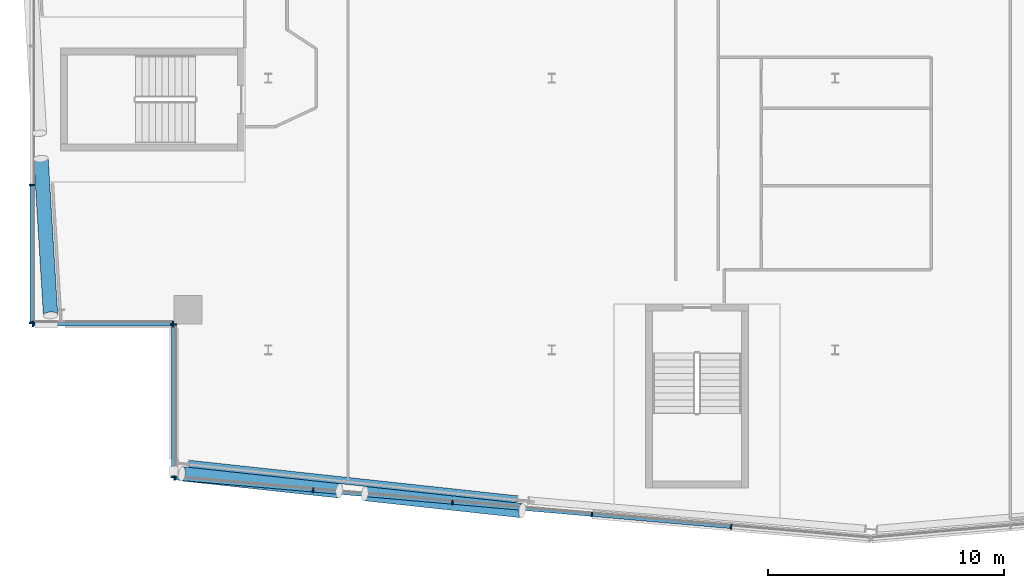
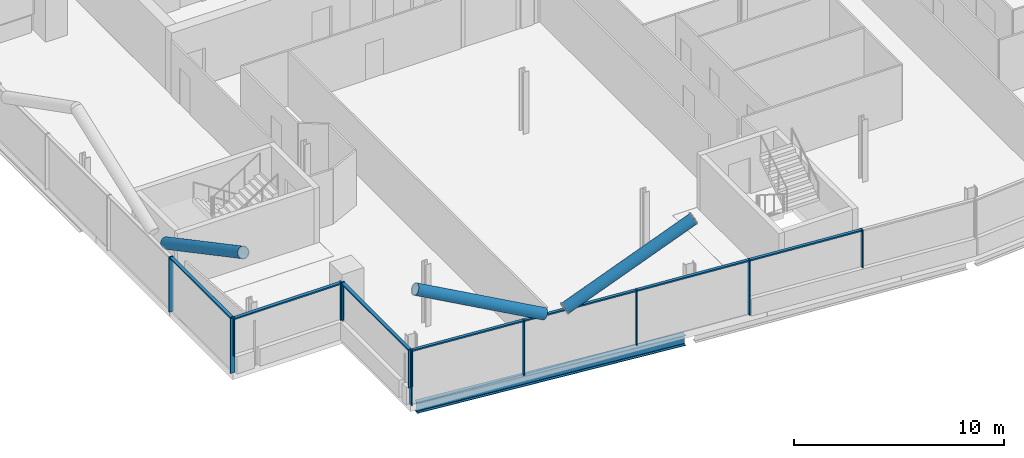
# One storey, part 5 of 26: 21 members, 1 beam, 4 elements without a shape of their own.
"""IFC4 building model written with IfcOpenShell, lengths in metres."""

from ifc_helpers import new_model, si_unit, direction, frame, origin, origin_2d, place, context, subcontext, project, spatial, rectangle, hollow_circle, i_section, extrude, material, material_profile, profile_set, type_object, element, aggregate, save


model = new_model("IFC4")

# Units and contexts
model_context = context("Model", 3, precision=1e-05, world=origin(), true_north=direction((0.0, 1.0)))
body_context = subcontext(model_context, "Body", "Model", "MODEL_VIEW")
ifc_project = project(units=[si_unit("LENGTHUNIT", "METRE"), si_unit("AREAUNIT", "SQUARE_METRE"), si_unit("VOLUMEUNIT", "CUBIC_METRE"), si_unit("PLANEANGLEUNIT", "RADIAN"), si_unit("MASSUNIT", "GRAM", prefix="KILO")], contexts=[model_context])

# Site, building, storey
site_placement = place(None, origin())
site = spatial("IfcSite", under=ifc_project, at=site_placement, CompositionType="ELEMENT")
building_placement = place(site_placement, origin())
building = spatial("IfcBuilding", under=site, at=building_placement, Name="Wharfspan Tower", CompositionType="ELEMENT")
storey_placement = place(building_placement, frame((0.0, 0.0, 235.899902)))
storey = spatial("IfcBuildingStorey", under=building, at=storey_placement, Name="L59", CompositionType="ELEMENT", Elevation=235.899902)

# Beam
ifc_material_1 = material(Name="Steel S355J2", Category="steel")
ifc_material_profile_1 = material_profile(ifc_material_1, i_section(OverallWidth=0.300049, OverallDepth=0.600098, WebThickness=0.015381, FlangeThickness=0.030029, FilletRadius=0.0271, at=origin_2d()))
ifc_profile_set_1 = profile_set([ifc_material_profile_1], Name="Steel S355J2")
beam_type = type_object("IfcBeamType", Name="Edge beam HEB 600", PredefinedType="SPANDREL", material=ifc_profile_set_1)
beam_placement = place(storey_placement, frame((20.648682, 6.674805, -0.699951), z_axis=(0.99418, -0.107732, 0.0), x_axis=(0.107732, 0.99418, 0.0)))
element("IfcBeam", 1, at=beam_placement, inside=storey, type_object=beam_type, Name="Edge beam S1 L59 PS1.1 to PS1.2", PredefinedType="SPANDREL", context=body_context, shape_type="SweptSolid", body=[
    extrude(i_section(OverallWidth=0.300049, OverallDepth=0.600098, WebThickness=0.015381, FlangeThickness=0.030029, FilletRadius=0.0271, at=origin_2d()), origin(), (0.0, 0.0, 1.0), 13.95752),
])

# Curtain wall, members
ifc_material_2 = material(Name="Aluminium 6063-T6", Category="aluminium")
curtain_wall_type_1 = type_object("IfcCurtainWallType", Name="CURTAIN WALL FACETED FRONT", PredefinedType="NOTDEFINED", material=ifc_material_2)
curtain_wall_1_placement = place(storey_placement, origin())
curtain_wall_1 = element("IfcCurtainWall", 2, at=curtain_wall_1_placement, inside=storey, type_object=curtain_wall_type_1, Name="Curtain wall S1", PredefinedType="NOTDEFINED")
ifc_material_profile_2 = material_profile(ifc_material_2, rectangle(XDim=0.199951, YDim=0.060059, at=origin_2d()))
ifc_profile_set_2 = profile_set([ifc_material_profile_2], Name="Aluminium 6063-T6")
member_type_1 = type_object("IfcMemberType", Name="MULLION FACETED FRONT 60x200", PredefinedType="MULLION", material=ifc_profile_set_2)
member_1_placement = place(storey_placement, frame((20.029785, 6.07251, 0.0), z_axis=(0.0, 0.0, 1.0), x_axis=(0.087156, 0.996197, 0.0)))
member_1 = element("IfcMember", 3, at=member_1_placement, type_object=member_type_1, Name="Curtain wall S1 mullion 1", PredefinedType="MULLION", context=body_context, shape_type="SweptSolid", body=[
    extrude(rectangle(XDim=0.199951, YDim=0.060059, at=origin_2d()), origin(), (0.0, 0.0, 1.0), 3.200195),
])
member_2_placement = place(storey_placement, frame((25.899902, 5.558838, 0.0), z_axis=(0.0, 0.0, 1.0), x_axis=(0.087156, 0.996197, 0.0)))
member_2 = element("IfcMember", 4, at=member_2_placement, type_object=member_type_1, Name="Curtain wall S1 mullion 2", PredefinedType="MULLION", context=body_context, shape_type="SweptSolid", body=[
    extrude(rectangle(XDim=0.199951, YDim=0.060059, at=origin_2d()), origin(), (0.0, 0.0, 1.0), 3.200195),
])
member_3_placement = place(storey_placement, frame((31.800049, 5.042725, 0.0), z_axis=(0.0, 0.0, 1.0), x_axis=(0.087156, 0.996197, 0.0)))
member_3 = element("IfcMember", 5, at=member_3_placement, type_object=member_type_1, Name="Curtain wall S1 mullion 3", PredefinedType="MULLION", context=body_context, shape_type="SweptSolid", body=[
    extrude(rectangle(XDim=0.199951, YDim=0.060059, at=origin_2d()), origin(), (0.0, 0.0, 1.0), 3.200195),
])
member_4_placement = place(storey_placement, frame((37.699951, 4.526611, 0.0), z_axis=(0.0, 0.0, 1.0), x_axis=(0.087156, 0.996197, 0.0)))
member_4 = element("IfcMember", 6, at=member_4_placement, type_object=member_type_1, Name="Curtain wall S1 mullion 4", PredefinedType="MULLION", context=body_context, shape_type="SweptSolid", body=[
    extrude(rectangle(XDim=0.199951, YDim=0.060059, at=origin_2d()), origin(), (0.0, 0.0, 1.0), 3.200195),
])
member_5_placement = place(storey_placement, frame((43.600098, 4.010254, 1.0), z_axis=(0.0, 0.0, 1.0), x_axis=(0.087156, 0.996197, 0.0)))
member_5 = element("IfcMember", 7, at=member_5_placement, type_object=member_type_1, Name="Curtain wall S1 mullion 5", PredefinedType="MULLION", context=body_context, shape_type="SweptSolid", body=[
    extrude(rectangle(XDim=0.199951, YDim=0.060059, at=origin_2d()), origin(), (0.0, 0.0, 1.0), 2.200195),
])

curtain_wall_type_2 = type_object("IfcCurtainWallType", Name="CURTAIN WALL PROW AND END", PredefinedType="NOTDEFINED", material=ifc_material_2)
curtain_wall_2_placement = place(storey_placement, origin())
curtain_wall_2 = element("IfcCurtainWall", 8, at=curtain_wall_2_placement, inside=storey, type_object=curtain_wall_type_2, Name="Curtain wall W", PredefinedType="NOTDEFINED")
ifc_material_profile_3 = material_profile(ifc_material_2, rectangle(XDim=0.23999, YDim=0.060059, at=origin_2d()))
ifc_profile_set_3 = profile_set([ifc_material_profile_3], Name="Aluminium 6063-T6")
member_type_2 = type_object("IfcMemberType", Name="MULLION PROW AND END 60x240", PredefinedType="MULLION", material=ifc_profile_set_3)
member_6_placement = place(storey_placement, frame((14.0, 18.47998, 0.0), z_axis=(0.0, 0.0, 1.0), x_axis=(1.0, 0.0, 0.0)))
member_6 = element("IfcMember", 9, at=member_6_placement, type_object=member_type_2, Name="Curtain wall W mullion 5", PredefinedType="MULLION", context=body_context, shape_type="SweptSolid", body=[
    extrude(rectangle(XDim=0.23999, YDim=0.060059, at=origin_2d()), origin(), (0.0, 0.0, 1.0), 3.200195),
])
member_7_placement = place(storey_placement, frame((14.0, 12.629883, 0.0), z_axis=(0.0, 0.0, 1.0), x_axis=(1.0, 0.0, 0.0)))
member_7 = element("IfcMember", 10, at=member_7_placement, type_object=member_type_2, Name="Curtain wall W mullion 6", PredefinedType="MULLION", context=body_context, shape_type="SweptSolid", body=[
    extrude(rectangle(XDim=0.23999, YDim=0.060059, at=origin_2d()), origin(), (0.0, 0.0, 1.0), 3.200195),
])

curtain_wall_3_placement = place(storey_placement, origin())
curtain_wall_3 = element("IfcCurtainWall", 11, at=curtain_wall_3_placement, inside=storey, type_object=curtain_wall_type_2, Name="Curtain wall NFW-H", PredefinedType="NOTDEFINED")
member_8_placement = place(storey_placement, frame((14.030029, 12.600098, 1.0), z_axis=(0.0, 0.0, 1.0), x_axis=(0.0, 1.0, 0.0)))
member_8 = element("IfcMember", 12, at=member_8_placement, type_object=member_type_2, Name="Curtain wall NFW-H mullion 1", PredefinedType="MULLION", context=body_context, shape_type="SweptSolid", body=[
    extrude(rectangle(XDim=0.23999, YDim=0.060059, at=origin_2d()), origin(), (0.0, 0.0, 1.0), 2.200195),
])
member_9_placement = place(storey_placement, frame((19.969971, 12.600098, 1.0), z_axis=(0.0, 0.0, 1.0), x_axis=(0.0, 1.0, 0.0)))
member_9 = element("IfcMember", 13, at=member_9_placement, type_object=member_type_2, Name="Curtain wall NFW-H mullion 2", PredefinedType="MULLION", context=body_context, shape_type="SweptSolid", body=[
    extrude(rectangle(XDim=0.23999, YDim=0.060059, at=origin_2d()), origin(), (0.0, 0.0, 1.0), 2.200195),
])

curtain_wall_4_placement = place(storey_placement, origin())
curtain_wall_4 = element("IfcCurtainWall", 14, at=curtain_wall_4_placement, inside=storey, type_object=curtain_wall_type_2, Name="Curtain wall NFW-V", PredefinedType="NOTDEFINED")
member_10_placement = place(storey_placement, frame((20.0, 12.570068, 1.0), z_axis=(0.0, 0.0, 1.0), x_axis=(1.0, 0.0, 0.0)))
member_10 = element("IfcMember", 15, at=member_10_placement, type_object=member_type_2, Name="Curtain wall NFW-V mullion 1", PredefinedType="MULLION", context=body_context, shape_type="SweptSolid", body=[
    extrude(rectangle(XDim=0.23999, YDim=0.060059, at=origin_2d()), origin(), (0.0, 0.0, 1.0), 2.200195),
])
member_11_placement = place(storey_placement, frame((20.0, 6.10498, 1.0), z_axis=(0.0, 0.0, 1.0), x_axis=(1.0, 0.0, 0.0)))
member_11 = element("IfcMember", 16, at=member_11_placement, type_object=member_type_2, Name="Curtain wall NFW-V mullion 2", PredefinedType="MULLION", context=body_context, shape_type="SweptSolid", body=[
    extrude(rectangle(XDim=0.23999, YDim=0.060059, at=origin_2d()), origin(), (0.0, 0.0, 1.0), 2.200195),
])

# Members
ifc_material_3 = material(Name="Steel S460NH", Category="steel")
ifc_material_profile_4 = material_profile(ifc_material_3, hollow_circle(Radius=0.304932, WallThickness=0.024902, at=origin_2d()))
ifc_profile_set_4 = profile_set([ifc_material_profile_4], Name="Steel S460NH")
member_type_3 = type_object("IfcMemberType", Name="Mega brace CHS 610x25", PredefinedType="BRACE", material=ifc_profile_set_4)
for number, where, z_axis, x_axis, name in (
    (17, (28.088867, 5.410889, 3.171143), (0.890126, -0.09646, 0.445389), (0.107737, 0.99418, -2e-06), "Mega brace S1 L59 part 2"),
    (18, (27.005371, 5.52832, 3.171143), (-0.890126, 0.09646, 0.445389), (-0.107737, -0.99418, -2e-06), "Mega brace S1 L59 part 4"),
):
    element("IfcMember", number, at=place(storey_placement, frame(where, z_axis=z_axis, x_axis=x_axis)), inside=storey, type_object=member_type_3, Name=name, PredefinedType="BRACE", context=body_context, shape_type="SweptSolid", body=[
        extrude(hollow_circle(Radius=0.304932, WallThickness=0.024902, at=origin_2d()), origin(), (0.0, 0.0, 1.0), 7.474121),
    ])
member_12_placement = place(storey_placement, frame((14.376953, 19.592773, 3.170654), z_axis=(0.054615, -0.892302, 0.448123), x_axis=(0.998132, 0.061091, -3e-06)))
element("IfcMember", 19, at=member_12_placement, inside=storey, type_object=member_type_3, Name="Mega brace W4 L59 part 2", PredefinedType="BRACE", context=body_context, shape_type="SweptSolid", body=[
    extrude(hollow_circle(Radius=0.304932, WallThickness=0.024902, at=origin_2d()), origin(), (0.0, 0.0, 1.0), 7.429443),
])

# Member
ifc_material_profile_5 = material_profile(ifc_material_2, rectangle(XDim=0.159912, YDim=0.080078, at=origin_2d()))
ifc_profile_set_5 = profile_set([ifc_material_profile_5], Name="Aluminium 6063-T6")
member_type_4 = type_object("IfcMemberType", Name="TRANSOM FACETED FRONT 80x160", PredefinedType="USERDEFINED", material=ifc_profile_set_5)
member_13_placement = place(storey_placement, frame((20.059814, 6.069824, 3.160156), z_axis=(0.996195, -0.08715, 0.0), x_axis=(0.08715, 0.996195, 0.0)))
member_13 = element("IfcMember", 20, at=member_13_placement, type_object=member_type_4, Name="Curtain wall S1 transom 1", ObjectType="TRANSOM", PredefinedType="USERDEFINED", context=body_context, shape_type="SweptSolid", body=[
    extrude(rectangle(XDim=0.159912, YDim=0.080078, at=origin_2d()), origin(), (0.0, 0.0, 1.0), 5.83252),
])

member_14_placement = place(storey_placement, frame((25.929932, 5.556152, 3.160156), z_axis=(0.996198, -0.087122, 0.0), x_axis=(0.087122, 0.996198, 0.0)))
member_14 = element("IfcMember", 21, at=member_14_placement, type_object=member_type_4, Name="Curtain wall S1 transom 2", ObjectType="TRANSOM", PredefinedType="USERDEFINED", context=body_context, shape_type="SweptSolid", body=[
    extrude(rectangle(XDim=0.159912, YDim=0.080078, at=origin_2d()), origin(), (0.0, 0.0, 1.0), 5.862305),
])

member_15_placement = place(storey_placement, frame((31.829834, 5.040039, 3.160156), z_axis=(0.996194, -0.08716, 0.0), x_axis=(0.08716, 0.996194, 0.0)))
member_15 = element("IfcMember", 22, at=member_15_placement, type_object=member_type_4, Name="Curtain wall S1 transom 3", ObjectType="TRANSOM", PredefinedType="USERDEFINED", context=body_context, shape_type="SweptSolid", body=[
    extrude(rectangle(XDim=0.159912, YDim=0.080078, at=origin_2d()), origin(), (0.0, 0.0, 1.0), 5.862549),
])

member_16_placement = place(storey_placement, frame((37.72998, 4.523926, 3.160156), z_axis=(0.996194, -0.087163, 0.0), x_axis=(0.087163, 0.996194, 0.0)))
member_16 = element("IfcMember", 23, at=member_16_placement, type_object=member_type_4, Name="Curtain wall S1 transom 4", ObjectType="TRANSOM", PredefinedType="USERDEFINED", context=body_context, shape_type="SweptSolid", body=[
    extrude(rectangle(XDim=0.159912, YDim=0.080078, at=origin_2d()), origin(), (0.0, 0.0, 1.0), 5.862305),
])

aggregate(curtain_wall_1, [member_1, member_2, member_3, member_4, member_5, member_13, member_14, member_15, member_16])

ifc_material_profile_6 = material_profile(ifc_material_2, rectangle(XDim=0.179932, YDim=0.080078, at=origin_2d()))
ifc_profile_set_6 = profile_set([ifc_material_profile_6], Name="Aluminium 6063-T6")
member_type_5 = type_object("IfcMemberType", Name="TRANSOM PROW AND END 80x180", PredefinedType="USERDEFINED", material=ifc_profile_set_6)
member_17_placement = place(storey_placement, frame((14.0, 18.449951, 3.160156), z_axis=(0.0, -1.0, 0.0), x_axis=(1.0, 0.0, 0.0)))
member_17 = element("IfcMember", 24, at=member_17_placement, type_object=member_type_5, Name="Curtain wall W transom 5", ObjectType="TRANSOM", PredefinedType="USERDEFINED", context=body_context, shape_type="SweptSolid", body=[
    extrude(rectangle(XDim=0.179932, YDim=0.080078, at=origin_2d()), origin(), (0.0, 0.0, 1.0), 5.790039),
])

aggregate(curtain_wall_2, [member_6, member_7, member_17])

member_18_placement = place(storey_placement, frame((14.060059, 12.600098, 3.160156), z_axis=(1.0, 0.0, 0.0), x_axis=(0.0, 1.0, 0.0)))
member_18 = element("IfcMember", 25, at=member_18_placement, type_object=member_type_5, Name="Curtain wall NFW-H transom 1", ObjectType="TRANSOM", PredefinedType="USERDEFINED", context=body_context, shape_type="SweptSolid", body=[
    extrude(rectangle(XDim=0.179932, YDim=0.080078, at=origin_2d()), origin(), (0.0, 0.0, 1.0), 5.879883),
])

aggregate(curtain_wall_3, [member_8, member_9, member_18])

member_19_placement = place(storey_placement, frame((20.0, 12.540039, 3.160156), z_axis=(0.0, -1.0, 0.0), x_axis=(1.0, 0.0, 0.0)))
member_19 = element("IfcMember", 26, at=member_19_placement, type_object=member_type_5, Name="Curtain wall NFW-V transom 1", ObjectType="TRANSOM", PredefinedType="USERDEFINED", context=body_context, shape_type="SweptSolid", body=[
    extrude(rectangle(XDim=0.179932, YDim=0.080078, at=origin_2d()), origin(), (0.0, 0.0, 1.0), 6.405029),
])

aggregate(curtain_wall_4, [member_10, member_11, member_19])

save(model, "model.ifc")
